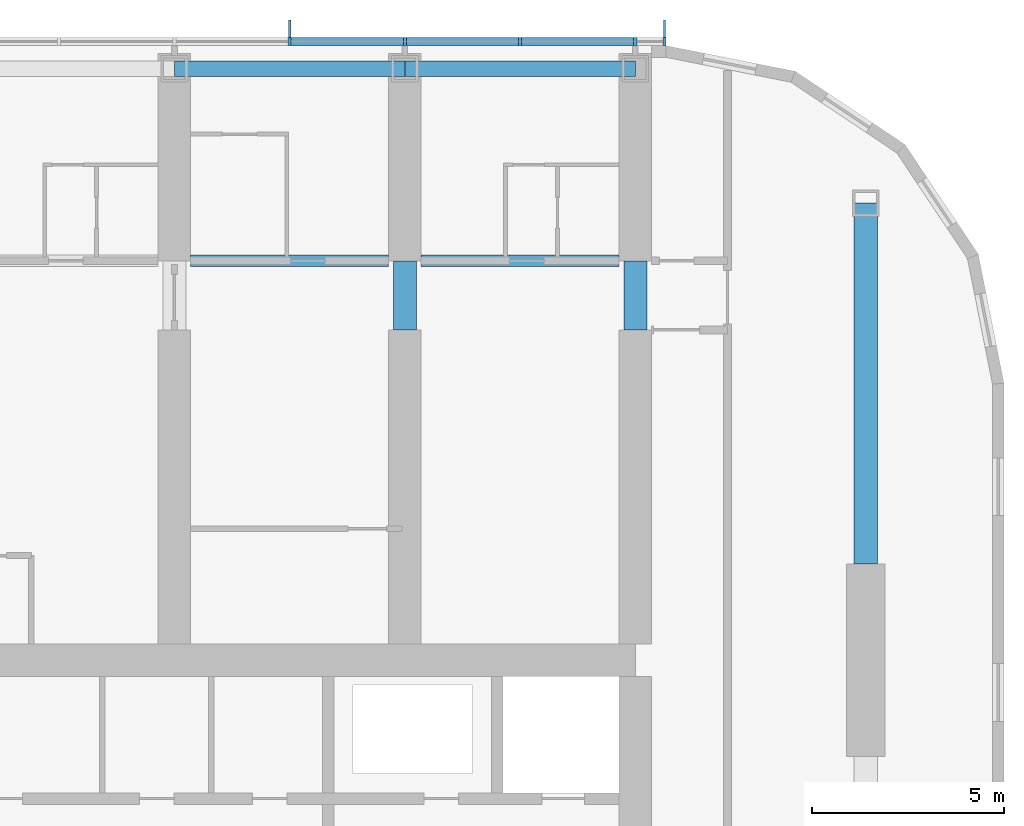
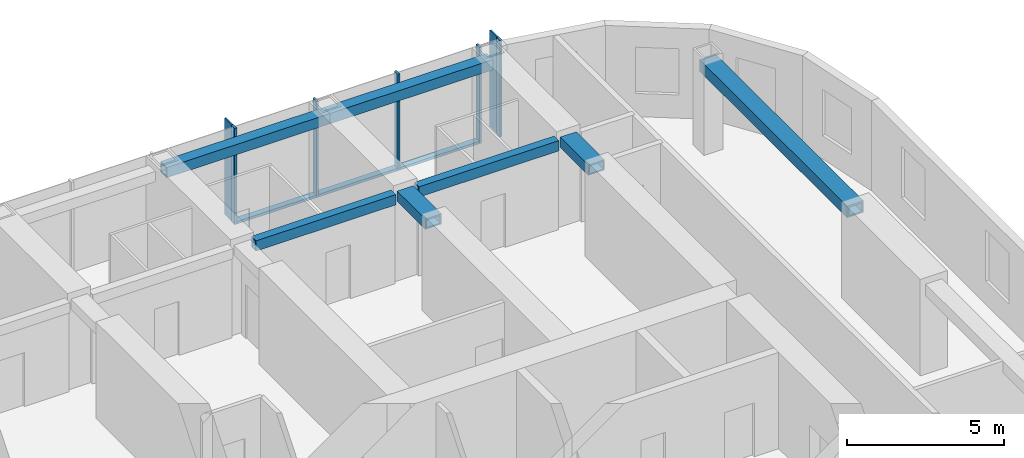
# One storey, part 5 of 22: 10 members, 7 beams, 1 element without a shape of its own.
"""IFC4 building model written with IfcOpenShell, lengths in metres."""

from ifc_helpers import new_model, si_unit, direction, frame, origin, origin_2d, place, context, subcontext, project, spatial, rectangle, hollow_rectangle, extrude, material, material_profile, profile_set, type_object, element, aggregate, save


model = new_model("IFC4")

# Units and contexts
model_context = context("Model", 3, precision=1e-05, world=origin(), true_north=direction((0.0, 1.0)))
body_context = subcontext(model_context, "Body", "Model", "MODEL_VIEW")
ifc_project = project(units=[si_unit("LENGTHUNIT", "METRE"), si_unit("AREAUNIT", "SQUARE_METRE"), si_unit("VOLUMEUNIT", "CUBIC_METRE"), si_unit("PLANEANGLEUNIT", "RADIAN"), si_unit("MASSUNIT", "GRAM", prefix="KILO")], contexts=[model_context])

# Site, building, storey
site_placement = place(None, origin())
site = spatial("IfcSite", under=ifc_project, at=site_placement, CompositionType="ELEMENT")
building_placement = place(site_placement, origin())
building = spatial("IfcBuilding", under=site, at=building_placement, Name="Orbita Commons", CompositionType="ELEMENT")
storey_placement = place(building_placement, frame((0.0, 0.0, 186.10009765625)))
storey = spatial("IfcBuildingStorey", under=building, at=storey_placement, Name="L46", CompositionType="ELEMENT", Elevation=186.10009765625)

# Curtain wall, members
ifc_material_1 = material(Name="Anodised aluminium frame, pale silver", Category="aluminium")
curtain_wall_type = type_object("IfcCurtainWallType", Name="Unitised curtain wall CW-U, full-height vision", PredefinedType="NOTDEFINED", material=ifc_material_1)
curtain_wall_placement = place(storey_placement, origin())
curtain_wall = element("IfcCurtainWall", 1, at=curtain_wall_placement, inside=storey, type_object=curtain_wall_type, Name="Curtain wall north L46", PredefinedType="NOTDEFINED")
ifc_material_2 = material(Name="Anodised aluminium, pale silver", Category="aluminium")
ifc_material_profile_1 = material_profile(ifc_material_2, rectangle(XDim=0.080078125, YDim=0.219970703125, at=origin_2d()), Name="AL 80x220")
ifc_profile_set_1 = profile_set([ifc_material_profile_1], Name="Anodised aluminium, pale silver")
member_type_1 = type_object("IfcMemberType", Name="Curtain wall mullion 80x220", PredefinedType="MULLION", material=ifc_profile_set_1)
member_1_placement = place(storey_placement, frame((66.760009765625, 54.31005859375, -0.25), z_axis=(0.0, 0.0, 1.0), x_axis=(-1.0, 0.0, 0.0)))
member_1 = element("IfcMember", 2, at=member_1_placement, type_object=member_type_1, Name="Mullion 1 CW-L46-N", PredefinedType="MULLION", context=body_context, shape_type="SweptSolid", body=[
    extrude(rectangle(XDim=0.080078125, YDim=0.219970703125, at=origin_2d()), origin(), (0.0, 0.0, 1.0), 3.75),
])
member_2_placement = place(storey_placement, frame((66.0, 54.31005859375, -0.25), z_axis=(0.0, 0.0, 1.0), x_axis=(-1.0, 0.0, 0.0)))
member_2 = element("IfcMember", 3, at=member_2_placement, type_object=member_type_1, Name="Mullion 2 CW-L46-N", PredefinedType="MULLION", context=body_context, shape_type="SweptSolid", body=[
    extrude(rectangle(XDim=0.080078125, YDim=0.219970703125, at=origin_2d()), origin(), (0.0, 0.0, 1.0), 3.75),
])
member_3_placement = place(storey_placement, frame((63.0, 54.31005859375, -0.25), z_axis=(0.0, 0.0, 1.0), x_axis=(-1.0, 0.0, 0.0)))
member_3 = element("IfcMember", 4, at=member_3_placement, type_object=member_type_1, Name="Mullion 3 CW-L46-N", PredefinedType="MULLION", context=body_context, shape_type="SweptSolid", body=[
    extrude(rectangle(XDim=0.080078125, YDim=0.219970703125, at=origin_2d()), origin(), (0.0, 0.0, 1.0), 3.75),
])
member_4_placement = place(storey_placement, frame((60.0, 54.31005859375, -0.25), z_axis=(0.0, 0.0, 1.0), x_axis=(-1.0, 0.0, 0.0)))
member_4 = element("IfcMember", 5, at=member_4_placement, type_object=member_type_1, Name="Mullion 4 CW-L46-N", PredefinedType="MULLION", context=body_context, shape_type="SweptSolid", body=[
    extrude(rectangle(XDim=0.080078125, YDim=0.219970703125, at=origin_2d()), origin(), (0.0, 0.0, 1.0), 3.75),
])
member_5_placement = place(storey_placement, frame((57.0, 54.31005859375, -0.25), z_axis=(0.0, 0.0, 1.0), x_axis=(-1.0, 0.0, 0.0)))
member_5 = element("IfcMember", 6, at=member_5_placement, type_object=member_type_1, Name="Mullion 5 CW-L46-N", PredefinedType="MULLION", context=body_context, shape_type="SweptSolid", body=[
    extrude(rectangle(XDim=0.080078125, YDim=0.219970703125, at=origin_2d()), origin(), (0.0, 0.0, 1.0), 3.75),
])
ifc_material_3 = material(Name="Anodised aluminium, pale silver", Category="aluminium")
ifc_material_profile_2 = material_profile(ifc_material_3, rectangle(XDim=0.219970703125, YDim=0.10009765625, at=origin_2d()), Name="AL 220x100")
ifc_profile_set_2 = profile_set([ifc_material_profile_2], Name="Anodised aluminium, pale silver")
member_type_2 = type_object("IfcMemberType", Name="Curtain wall stack transom 220x100", PredefinedType="USERDEFINED", material=ifc_profile_set_2)
member_6_placement = place(storey_placement, frame((65.9599609375, 54.31005859375, -0.2001953125), z_axis=(-1.0, 0.0, 0.0), x_axis=(0.0, -1.0, 0.0)))
member_6 = element("IfcMember", 7, at=member_6_placement, type_object=member_type_2, Name="Transom 2.1 CW-L46-N", ObjectType="TRANSOM", PredefinedType="USERDEFINED", context=body_context, shape_type="SweptSolid", body=[
    extrude(rectangle(XDim=0.219970703125, YDim=0.10009765625, at=origin_2d()), origin(), (0.0, 0.0, 1.0), 2.919921875),
])
member_7_placement = place(storey_placement, frame((62.9599609375, 54.31005859375, -0.2001953125), z_axis=(-1.0, 0.0, 0.0), x_axis=(0.0, -1.0, 0.0)))
member_7 = element("IfcMember", 8, at=member_7_placement, type_object=member_type_2, Name="Transom 3.1 CW-L46-N", ObjectType="TRANSOM", PredefinedType="USERDEFINED", context=body_context, shape_type="SweptSolid", body=[
    extrude(rectangle(XDim=0.219970703125, YDim=0.10009765625, at=origin_2d()), origin(), (0.0, 0.0, 1.0), 2.919921875),
])
member_8_placement = place(storey_placement, frame((59.9599609375, 54.31005859375, -0.2001953125), z_axis=(-1.0, 0.0, 0.0), x_axis=(0.0, -1.0, 0.0)))
member_8 = element("IfcMember", 9, at=member_8_placement, type_object=member_type_2, Name="Transom 4.1 CW-L46-N", ObjectType="TRANSOM", PredefinedType="USERDEFINED", context=body_context, shape_type="SweptSolid", body=[
    extrude(rectangle(XDim=0.219970703125, YDim=0.10009765625, at=origin_2d()), origin(), (0.0, 0.0, 1.0), 2.919921875),
])

# Beams
ifc_material_4 = material(Name="Steel ASTM A572 Gr 50 welded plate", Category="steel")
ifc_material_profile_3 = material_profile(ifc_material_4, hollow_rectangle(XDim=0.300048828125, YDim=0.39990234375, WallThickness=0.0400390625, at=origin_2d()), Name="BOX 400x300x40")
ifc_profile_set_3 = profile_set([ifc_material_profile_3], Name="Steel ASTM A572 Gr 50 welded plate")
beam_type_1 = type_object("IfcBeamType", Name="Steel corridor link BOX 400x300x40", PredefinedType="BEAM", material=ifc_profile_set_3)
for number, where, z_axis, x_axis, name in (
    (10, (54.425048828125, 48.60009765625, 3.2998046875), (1.0, 0.0, 0.0), (0.0, 1.0, 0.0), "Corridor beam NB 10-11 L46"),
    (11, (60.425048828125, 48.60009765625, 3.2998046875), (1.0, 0.0, 0.0), (0.0, 1.0, 0.0), "Corridor beam NB 11-12 L46"),
):
    element("IfcBeam", number, at=place(storey_placement, frame(where, z_axis=z_axis, x_axis=x_axis)), inside=storey, type_object=beam_type_1, Name=name, PredefinedType="BEAM", context=body_context, shape_type="SweptSolid", body=[
        extrude(hollow_rectangle(XDim=0.300048828125, YDim=0.39990234375, WallThickness=0.0400390625, at=origin_2d()), origin(), (0.0, 0.0, 1.0), 5.14990234375),
    ])
ifc_material_5 = material(Name="Steel ASTM A572 Gr 50 welded plate", Category="steel")
ifc_material_profile_4 = material_profile(ifc_material_5, hollow_rectangle(XDim=0.60009765625, YDim=0.39990234375, WallThickness=0.050048828125, at=origin_2d()), Name="BOX 400x600x50")
ifc_profile_set_4 = profile_set([ifc_material_profile_4], Name="Steel ASTM A572 Gr 50 welded plate")
beam_type_2 = type_object("IfcBeamType", Name="Steel coupling link BOX 400x600x50", PredefinedType="LINTEL", material=ifc_profile_set_4)
for number, where, z_axis, x_axis, name in (
    (12, (60.0, 46.800048828125, 3.2998046875), (0.0, 1.0, 0.0), (-1.0, 0.0, 0.0), "Coupling beam 11 north L46"),
    (13, (66.0, 46.800048828125, 3.2998046875), (0.0, 1.0, 0.0), (-1.0, 0.0, 0.0), "Coupling beam 12 north L46"),
):
    element("IfcBeam", number, at=place(storey_placement, frame(where, z_axis=z_axis, x_axis=x_axis)), inside=storey, type_object=beam_type_2, Name=name, PredefinedType="LINTEL", context=body_context, shape_type="SweptSolid", body=[
        extrude(hollow_rectangle(XDim=0.60009765625, YDim=0.39990234375, WallThickness=0.050048828125, at=origin_2d()), origin(), (0.0, 0.0, 1.0), 1.800048828125),
    ])
ifc_material_6 = material(Name="Steel ASTM A572 Gr 50 welded plate", Category="steel")
ifc_material_profile_5 = material_profile(ifc_material_6, hollow_rectangle(XDim=0.60009765625, YDim=0.449951171875, WallThickness=0.06005859375, at=origin_2d()), Name="BOX 450x600x60")
ifc_profile_set_5 = profile_set([ifc_material_profile_5], Name="Steel ASTM A572 Gr 50 welded plate")
beam_type_3 = type_object("IfcBeamType", Name="Steel end frame link BOX 450x600x60", PredefinedType="BEAM", material=ifc_profile_set_5)
beam_placement = place(storey_placement, frame((72.0, 40.699951171875, 3.27490234375), z_axis=(0.0, 1.0, 0.0), x_axis=(-1.0, 0.0, 0.0)))
element("IfcBeam", 14, at=beam_placement, inside=storey, type_object=beam_type_3, Name="End frame beam 13 D-E L46", PredefinedType="BEAM", context=body_context, shape_type="SweptSolid", body=[
    extrude(hollow_rectangle(XDim=0.60009765625, YDim=0.449951171875, WallThickness=0.06005859375, at=origin_2d()), origin(), (0.0, 0.0, 1.0), 9.400146484375),
])
ifc_material_7 = material(Name="Steel ASTM A572 Gr 50 welded plate", Category="steel")
ifc_material_profile_6 = material_profile(ifc_material_7, hollow_rectangle(XDim=0.39990234375, YDim=0.39990234375, WallThickness=0.0400390625, at=origin_2d()), Name="BOX 400x400x40")
ifc_profile_set_6 = profile_set([ifc_material_profile_6], Name="Steel ASTM A572 Gr 50 welded plate")
beam_type_4 = type_object("IfcBeamType", Name="Steel spandrel BOX 400x400x40", PredefinedType="SPANDREL", material=ifc_profile_set_6)
for number, where, z_axis, x_axis, name in (
    (15, (54.0, 53.60009765625, 3.2998046875), (1.0, 0.0, 0.0), (0.0, 1.0, 0.0), "Spandrel beam E 10-11 L46"),
    (16, (60.0, 53.60009765625, 3.2998046875), (1.0, 0.0, 0.0), (0.0, 1.0, 0.0), "Spandrel beam E 11-12 L46"),
):
    element("IfcBeam", number, at=place(storey_placement, frame(where, z_axis=z_axis, x_axis=x_axis)), inside=storey, type_object=beam_type_4, Name=name, PredefinedType="SPANDREL", context=body_context, shape_type="SweptSolid", body=[
        extrude(hollow_rectangle(XDim=0.39990234375, YDim=0.39990234375, WallThickness=0.0400390625, at=origin_2d()), origin(), (0.0, 0.0, 1.0), 6.0),
    ])

# Member
ifc_material_8 = material(Name="Anodised aluminium, pale silver", Category="aluminium")
ifc_material_profile_7 = material_profile(ifc_material_8, rectangle(XDim=0.06005859375, YDim=0.449951171875, at=origin_2d()), Name="FIN 60x450")
ifc_profile_set_7 = profile_set([ifc_material_profile_7], Name="Anodised aluminium, pale silver")
member_type_3 = type_object("IfcMemberType", Name="Vertical fin 60x450 pale aluminium", PredefinedType="USERDEFINED", material=ifc_profile_set_7)
member_9_placement = place(storey_placement, frame((66.760009765625, 54.64501953125, -0.25), z_axis=(0.0, 0.0, 1.0), x_axis=(-1.0, 0.0, 0.0)))
member_9 = element("IfcMember", 17, at=member_9_placement, type_object=member_type_3, Name="Fin 1 CW-L46-N", ObjectType="FIN", PredefinedType="USERDEFINED", context=body_context, shape_type="SweptSolid", body=[
    extrude(rectangle(XDim=0.06005859375, YDim=0.449951171875, at=origin_2d()), origin(), (0.0, 0.0, 1.0), 3.75),
])

member_10_placement = place(storey_placement, frame((57.0, 54.64501953125, -0.25), z_axis=(0.0, 0.0, 1.0), x_axis=(-1.0, 0.0, 0.0)))
member_10 = element("IfcMember", 18, at=member_10_placement, type_object=member_type_3, Name="Fin 5 CW-L46-N", ObjectType="FIN", PredefinedType="USERDEFINED", context=body_context, shape_type="SweptSolid", body=[
    extrude(rectangle(XDim=0.06005859375, YDim=0.449951171875, at=origin_2d()), origin(), (0.0, 0.0, 1.0), 3.75),
])

aggregate(curtain_wall, [member_1, member_9, member_2, member_3, member_4, member_5, member_10, member_6, member_7, member_8])

save(model, "model.ifc")
